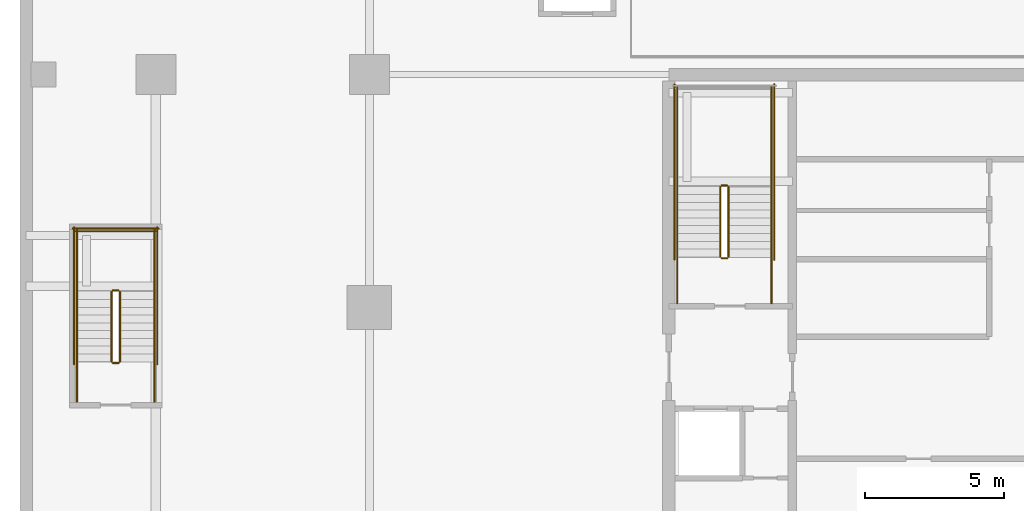
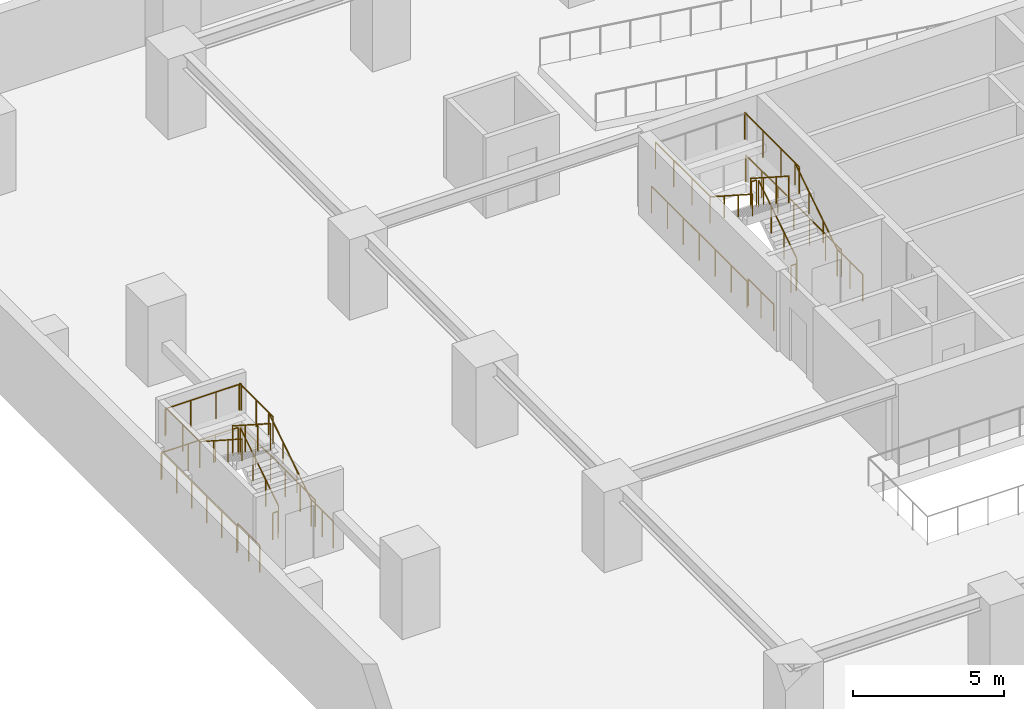
# One storey, part 7 of 10: 26 railings.
"""IFC4 building model written with IfcOpenShell, lengths in metres."""

from ifc_helpers import new_model, si_unit, direction, frame, origin, origin_2d, place, context, subcontext, project, spatial, circle, extrude, material, type_object, element, save


model = new_model("IFC4")

# Units and contexts
model_context = context("Model", 3, precision=1e-05, world=origin(), true_north=direction((0.0, 1.0)))
body_context = subcontext(model_context, "Body", "Model", "MODEL_VIEW")
ifc_project = project(units=[si_unit("LENGTHUNIT", "METRE"), si_unit("AREAUNIT", "SQUARE_METRE"), si_unit("VOLUMEUNIT", "CUBIC_METRE"), si_unit("PLANEANGLEUNIT", "RADIAN"), si_unit("MASSUNIT", "GRAM", prefix="KILO")], contexts=[model_context])

# Site, building, storey
site_placement = place(None, origin())
site = spatial("IfcSite", under=ifc_project, at=site_placement, CompositionType="ELEMENT")
building_placement = place(site_placement, origin())
building = spatial("IfcBuilding", under=site, at=building_placement, Name="Serunith Strait Residences", CompositionType="ELEMENT")
storey_placement = place(building_placement, frame((0.0, 0.0, -7.199951171875)))
storey = spatial("IfcBuildingStorey", under=building, at=storey_placement, Name="B02", CompositionType="ELEMENT", Elevation=-7.199951171875)

# Railings
ifc_material = material(Name="Brushed stainless steel 316L", Category="steel")
railing_type_1 = type_object("IfcRailingType", Name="RLG-STAIR-GUARD", PredefinedType="BALUSTRADE", material=ifc_material)
railing_1_placement = place(storey_placement, frame((25.550048828125, 27.030029296875, 0.179931640625)))
element("IfcRailing", 1, at=railing_1_placement, inside=storey, type_object=railing_type_1, Name="B02 ST-1 stair guard 1", PredefinedType="BALUSTRADE", context=body_context, shape_type="SweptSolid", body=[
    extrude(circle(Radius=0.02392578125, at=origin_2d()), frame((0.0, 0.001708984375, 1.0771484375), z_axis=(0.0, 0.841162588446, 0.540782303519), x_axis=(-1.0, 0.0, 0.0)), (0.0, 0.0, 1.0), 2.991943359375),
    extrude(circle(Radius=0.02099609375, at=origin_2d()), origin(), (0.0, 0.0, 1.0), 1.050048828125),
    extrude(circle(Radius=0.02099609375, at=origin_2d()), frame((0.0, 0.840087890625, 0.5400390625)), (0.0, 0.0, 1.0), 1.050048828125),
    extrude(circle(Radius=0.02099609375, at=origin_2d()), frame((0.0, 1.679931640625, 1.080078125)), (0.0, 0.0, 1.0), 1.050048828125),
    extrude(circle(Radius=0.02099609375, at=origin_2d()), frame((0.0, 2.52001953125, 1.6201171875)), (0.0, 0.0, 1.0), 1.050048828125),
])
railing_2_placement = place(storey_placement, frame((25.5, 29.60009765625, 1.800048828125)))
element("IfcRailing", 2, at=railing_2_placement, inside=storey, type_object=railing_type_1, Name="B02 ST-1 stair guard 2", PredefinedType="BALUSTRADE", context=body_context, shape_type="SweptSolid", body=[
    extrude(circle(Radius=0.02392578125, at=origin_2d()), frame((-0.001953125, 0.0, 1.076171875), z_axis=(-1.0, 0.0, 0.0), x_axis=(0.0, -1.0, 0.0)), (0.0, 0.0, 1.0), 0.196044921875),
    extrude(circle(Radius=0.02099609375, at=origin_2d()), origin(), (0.0, 0.0, 1.0), 1.050048828125),
    extrude(circle(Radius=0.02099609375, at=origin_2d()), frame((-0.199951171875, 0.0, 0.0)), (0.0, 0.0, 1.0), 1.050048828125),
])
for number, where, name in (
    (3, (27.10009765625, 29.550048828125, 1.800048828125), "B02 ST-1 stair guard 3"),
    (4, (23.699951171875, 29.550048828125, 1.800048828125), "B02 ST-1 stair guard 4"),
):
    element("IfcRailing", number, at=place(storey_placement, frame(where)), inside=storey, type_object=railing_type_1, Name=name, PredefinedType="BALUSTRADE", context=body_context, shape_type="SweptSolid", body=[
        extrude(circle(Radius=0.02392578125, at=origin_2d()), frame((0.0, 0.001953125, 1.076171875), z_axis=(0.0, 1.0, 0.0), x_axis=(-1.0, 0.0, 0.0)), (0.0, 0.0, 1.0), 3.595947265625),
        extrude(circle(Radius=0.02099609375, at=origin_2d()), origin(), (0.0, 0.0, 1.0), 1.050048828125),
        extrude(circle(Radius=0.02099609375, at=origin_2d()), frame((0.0, 1.199951171875, 0.0)), (0.0, 0.0, 1.0), 1.050048828125),
        extrude(circle(Radius=0.02099609375, at=origin_2d()), frame((0.0, 2.39990234375, 0.0)), (0.0, 0.0, 1.0), 1.050048828125),
        extrude(circle(Radius=0.02099609375, at=origin_2d()), frame((0.0, 3.599853515625, 0.0)), (0.0, 0.0, 1.0), 1.050048828125),
    ])
railing_3_placement = place(storey_placement, frame((25.25, 29.550048828125, 1.97998046875)))
element("IfcRailing", 5, at=railing_3_placement, inside=storey, type_object=railing_type_1, Name="B02 ST-1 stair guard 6", PredefinedType="BALUSTRADE", context=body_context, shape_type="SweptSolid", body=[
    extrude(circle(Radius=0.02392578125, at=origin_2d()), frame((0.0, -0.001708984375, 1.0771484375), z_axis=(0.0, -0.841199657755, 0.540724639528), x_axis=(1.0, 0.0, 0.0)), (0.0, 0.0, 1.0), 2.99169921875),
    extrude(circle(Radius=0.02099609375, at=origin_2d()), origin(), (0.0, 0.0, 1.0), 1.050048828125),
    extrude(circle(Radius=0.02099609375, at=origin_2d()), frame((0.0, -0.840087890625, 0.5400390625)), (0.0, 0.0, 1.0), 1.050048828125),
    extrude(circle(Radius=0.02099609375, at=origin_2d()), frame((0.0, -1.679931640625, 1.079833984375)), (0.0, 0.0, 1.0), 1.050048828125),
    extrude(circle(Radius=0.02099609375, at=origin_2d()), frame((0.0, -2.52001953125, 1.619873046875)), (0.0, 0.0, 1.0), 1.050048828125),
])
railing_4_placement = place(storey_placement, frame((25.5, 26.97998046875, 0.0)))
element("IfcRailing", 6, at=railing_4_placement, inside=storey, type_object=railing_type_1, Name="B02 ST-1 stair guard 7", PredefinedType="BALUSTRADE", context=body_context, shape_type="SweptSolid", body=[
    extrude(circle(Radius=0.02392578125, at=origin_2d()), frame((-0.001953125, 0.0, 1.076171875), z_axis=(-1.0, 0.0, 0.0), x_axis=(0.0, -1.0, 0.0)), (0.0, 0.0, 1.0), 0.196044921875),
    extrude(circle(Radius=0.02099609375, at=origin_2d()), origin(), (0.0, 0.0, 1.0), 1.050048828125),
    extrude(circle(Radius=0.02099609375, at=origin_2d()), frame((-0.199951171875, 0.0, 0.0)), (0.0, 0.0, 1.0), 1.050048828125),
])
for number, where, name in (
    (7, (27.10009765625, 25.35009765625, 0.0), "B02 ST-1 stair guard 8"),
    (8, (23.699951171875, 25.35009765625, 0.0), "B02 ST-1 stair guard 9"),
):
    element("IfcRailing", number, at=place(storey_placement, frame(where)), inside=storey, type_object=railing_type_1, Name=name, PredefinedType="BALUSTRADE", context=body_context, shape_type="SweptSolid", body=[
        extrude(circle(Radius=0.02392578125, at=origin_2d()), frame((0.0, 0.001953125, 1.076171875), z_axis=(0.0, 1.0, 0.0), x_axis=(-1.0, 0.0, 0.0)), (0.0, 0.0, 1.0), 1.676025390625),
        extrude(circle(Radius=0.02099609375, at=origin_2d()), origin(), (0.0, 0.0, 1.0), 1.050048828125),
        extrude(circle(Radius=0.02099609375, at=origin_2d()), frame((0.0, 0.83984375, 0.0)), (0.0, 0.0, 1.0), 1.050048828125),
        extrude(circle(Radius=0.02099609375, at=origin_2d()), frame((0.0, 1.679931640625, 0.0)), (0.0, 0.0, 1.0), 1.050048828125),
    ])
for number, where, name in (
    (9, (27.199951171875, 26.929931640625, 0.0), "B02 ST-1 stair guard 10"),
    (10, (23.60009765625, 26.929931640625, 0.0), "B02 ST-1 stair guard 11"),
):
    element("IfcRailing", number, at=place(storey_placement, frame(where)), inside=storey, type_object=railing_type_1, Name=name, PredefinedType="BALUSTRADE", context=body_context, shape_type="SweptSolid", body=[
        extrude(circle(Radius=0.02392578125, at=origin_2d()), frame((0.0, 0.001953125, 1.076171875), z_axis=(0.0, 1.0, 0.0), x_axis=(-1.0, 0.0, 0.0)), (0.0, 0.0, 1.0), 6.316162109375),
        extrude(circle(Radius=0.02099609375, at=origin_2d()), origin(), (0.0, 0.0, 1.0), 1.050048828125),
        extrude(circle(Radius=0.02099609375, at=origin_2d()), frame((0.0, 1.05322265625, 0.0)), (0.0, 0.0, 1.0), 1.050048828125),
        extrude(circle(Radius=0.02099609375, at=origin_2d()), frame((0.0, 2.106689453125, 0.0)), (0.0, 0.0, 1.0), 1.050048828125),
        extrude(circle(Radius=0.02099609375, at=origin_2d()), frame((0.0, 3.16015625, 0.0)), (0.0, 0.0, 1.0), 1.050048828125),
        extrude(circle(Radius=0.02099609375, at=origin_2d()), frame((0.0, 4.21337890625, 0.0)), (0.0, 0.0, 1.0), 1.050048828125),
        extrude(circle(Radius=0.02099609375, at=origin_2d()), frame((0.0, 5.2666015625, 0.0)), (0.0, 0.0, 1.0), 1.050048828125),
        extrude(circle(Radius=0.02099609375, at=origin_2d()), frame((0.0, 6.320068359375, 0.0)), (0.0, 0.0, 1.0), 1.050048828125),
    ])
railing_5_placement = place(storey_placement, frame((3.60009765625, 23.25, 0.179931640625)))
element("IfcRailing", 11, at=railing_5_placement, inside=storey, type_object=railing_type_1, Name="B02 ST-5 stair guard 1", PredefinedType="BALUSTRADE", context=body_context, shape_type="SweptSolid", body=[
    extrude(circle(Radius=0.02392578125, at=origin_2d()), frame((0.0, 0.001708984375, 1.0771484375), z_axis=(0.0, 0.841162588446, 0.540782303519), x_axis=(-1.0, 0.0, 0.0)), (0.0, 0.0, 1.0), 2.991943359375),
    extrude(circle(Radius=0.02099609375, at=origin_2d()), origin(), (0.0, 0.0, 1.0), 1.050048828125),
    extrude(circle(Radius=0.02099609375, at=origin_2d()), frame((0.0, 0.840087890625, 0.5400390625)), (0.0, 0.0, 1.0), 1.050048828125),
    extrude(circle(Radius=0.02099609375, at=origin_2d()), frame((0.0, 1.679931640625, 1.080078125)), (0.0, 0.0, 1.0), 1.050048828125),
    extrude(circle(Radius=0.02099609375, at=origin_2d()), frame((0.0, 2.52001953125, 1.6201171875)), (0.0, 0.0, 1.0), 1.050048828125),
])
railing_6_placement = place(storey_placement, frame((3.550048828125, 25.820068359375, 1.800048828125)))
element("IfcRailing", 12, at=railing_6_placement, inside=storey, type_object=railing_type_1, Name="B02 ST-5 stair guard 2", PredefinedType="BALUSTRADE", context=body_context, shape_type="SweptSolid", body=[
    extrude(circle(Radius=0.02392578125, at=origin_2d()), frame((-0.001953125, 0.0, 1.076171875), z_axis=(-1.0, 0.0, 0.0), x_axis=(0.0, -1.0, 0.0)), (0.0, 0.0, 1.0), 0.196044921875),
    extrude(circle(Radius=0.02099609375, at=origin_2d()), origin(), (0.0, 0.0, 1.0), 1.050048828125),
    extrude(circle(Radius=0.02099609375, at=origin_2d()), frame((-0.199951171875, 0.0, 0.0)), (0.0, 0.0, 1.0), 1.050048828125),
])
for number, where, name in (
    (13, (4.85009765625, 25.77001953125, 1.800048828125), "B02 ST-5 stair guard 3"),
    (14, (2.050048828125, 25.77001953125, 1.800048828125), "B02 ST-5 stair guard 4"),
):
    element("IfcRailing", number, at=place(storey_placement, frame(where)), inside=storey, type_object=railing_type_1, Name=name, PredefinedType="BALUSTRADE", context=body_context, shape_type="SweptSolid", body=[
        extrude(circle(Radius=0.02392578125, at=origin_2d()), frame((0.0, 0.001953125, 1.076171875), z_axis=(0.0, 1.0, 0.0), x_axis=(-1.0, 0.0, 0.0)), (0.0, 0.0, 1.0), 2.22607421875),
        extrude(circle(Radius=0.02099609375, at=origin_2d()), origin(), (0.0, 0.0, 1.0), 1.050048828125),
        extrude(circle(Radius=0.02099609375, at=origin_2d()), frame((0.0, 1.114990234375, 0.0)), (0.0, 0.0, 1.0), 1.050048828125),
        extrude(circle(Radius=0.02099609375, at=origin_2d()), frame((0.0, 2.22998046875, 0.0)), (0.0, 0.0, 1.0), 1.050048828125),
    ])
railing_7_placement = place(storey_placement, frame((4.89990234375, 27.949951171875, 1.800048828125)))
element("IfcRailing", 15, at=railing_7_placement, inside=storey, type_object=railing_type_1, Name="B02 ST-5 stair guard 5", PredefinedType="BALUSTRADE", context=body_context, shape_type="SweptSolid", body=[
    extrude(circle(Radius=0.02392578125, at=origin_2d()), frame((-0.001953125, 0.0, 1.076171875), z_axis=(-1.0, 0.0, 0.0), x_axis=(0.0, -1.0, 0.0)), (0.0, 0.0, 1.0), 2.89599609375),
    extrude(circle(Radius=0.02099609375, at=origin_2d()), origin(), (0.0, 0.0, 1.0), 1.050048828125),
    extrude(circle(Radius=0.02099609375, at=origin_2d()), frame((-0.966552734375, 0.0, 0.0)), (0.0, 0.0, 1.0), 1.050048828125),
    extrude(circle(Radius=0.02099609375, at=origin_2d()), frame((-1.933349609375, 0.0, 0.0)), (0.0, 0.0, 1.0), 1.050048828125),
    extrude(circle(Radius=0.02099609375, at=origin_2d()), frame((-2.89990234375, 0.0, 0.0)), (0.0, 0.0, 1.0), 1.050048828125),
])
railing_8_placement = place(storey_placement, frame((3.300048828125, 25.77001953125, 1.97998046875)))
element("IfcRailing", 16, at=railing_8_placement, inside=storey, type_object=railing_type_1, Name="B02 ST-5 stair guard 6", PredefinedType="BALUSTRADE", context=body_context, shape_type="SweptSolid", body=[
    extrude(circle(Radius=0.02392578125, at=origin_2d()), frame((0.0, -0.001708984375, 1.0771484375), z_axis=(0.0, -0.841199657755, 0.540724639528), x_axis=(1.0, 0.0, 0.0)), (0.0, 0.0, 1.0), 2.99169921875),
    extrude(circle(Radius=0.02099609375, at=origin_2d()), origin(), (0.0, 0.0, 1.0), 1.050048828125),
    extrude(circle(Radius=0.02099609375, at=origin_2d()), frame((0.0, -0.840087890625, 0.5400390625)), (0.0, 0.0, 1.0), 1.050048828125),
    extrude(circle(Radius=0.02099609375, at=origin_2d()), frame((0.0, -1.679931640625, 1.079833984375)), (0.0, 0.0, 1.0), 1.050048828125),
    extrude(circle(Radius=0.02099609375, at=origin_2d()), frame((0.0, -2.52001953125, 1.619873046875)), (0.0, 0.0, 1.0), 1.050048828125),
])
railing_9_placement = place(storey_placement, frame((3.550048828125, 23.199951171875, 0.0)))
element("IfcRailing", 17, at=railing_9_placement, inside=storey, type_object=railing_type_1, Name="B02 ST-5 stair guard 7", PredefinedType="BALUSTRADE", context=body_context, shape_type="SweptSolid", body=[
    extrude(circle(Radius=0.02392578125, at=origin_2d()), frame((-0.001953125, 0.0, 1.076171875), z_axis=(-1.0, 0.0, 0.0), x_axis=(0.0, -1.0, 0.0)), (0.0, 0.0, 1.0), 0.196044921875),
    extrude(circle(Radius=0.02099609375, at=origin_2d()), origin(), (0.0, 0.0, 1.0), 1.050048828125),
    extrude(circle(Radius=0.02099609375, at=origin_2d()), frame((-0.199951171875, 0.0, 0.0)), (0.0, 0.0, 1.0), 1.050048828125),
])
for number, where, name in (
    (18, (4.85009765625, 21.800048828125, 0.0), "B02 ST-5 stair guard 8"),
    (19, (2.050048828125, 21.800048828125, 0.0), "B02 ST-5 stair guard 9"),
):
    element("IfcRailing", number, at=place(storey_placement, frame(where)), inside=storey, type_object=railing_type_1, Name=name, PredefinedType="BALUSTRADE", context=body_context, shape_type="SweptSolid", body=[
        extrude(circle(Radius=0.02392578125, at=origin_2d()), frame((0.0, 0.001953125, 1.076171875), z_axis=(0.0, 1.0, 0.0), x_axis=(-1.0, 0.0, 0.0)), (0.0, 0.0, 1.0), 1.446044921875),
        extrude(circle(Radius=0.02099609375, at=origin_2d()), origin(), (0.0, 0.0, 1.0), 1.050048828125),
        extrude(circle(Radius=0.02099609375, at=origin_2d()), frame((0.0, 0.72509765625, 0.0)), (0.0, 0.0, 1.0), 1.050048828125),
        extrude(circle(Radius=0.02099609375, at=origin_2d()), frame((0.0, 1.449951171875, 0.0)), (0.0, 0.0, 1.0), 1.050048828125),
    ])
for number, where, name in (
    (20, (4.949951171875, 23.14990234375, 0.0), "B02 ST-5 stair guard 10"),
    (21, (1.949951171875, 23.14990234375, 0.0), "B02 ST-5 stair guard 11"),
):
    element("IfcRailing", number, at=place(storey_placement, frame(where)), inside=storey, type_object=railing_type_1, Name=name, PredefinedType="BALUSTRADE", context=body_context, shape_type="SweptSolid", body=[
        extrude(circle(Radius=0.02392578125, at=origin_2d()), frame((0.0, 0.001953125, 1.076171875), z_axis=(0.0, 1.0, 0.0), x_axis=(-1.0, 0.0, 0.0)), (0.0, 0.0, 1.0), 4.9462890625),
        extrude(circle(Radius=0.02099609375, at=origin_2d()), origin(), (0.0, 0.0, 1.0), 1.050048828125),
        extrude(circle(Radius=0.02099609375, at=origin_2d()), frame((0.0, 0.989990234375, 0.0)), (0.0, 0.0, 1.0), 1.050048828125),
        extrude(circle(Radius=0.02099609375, at=origin_2d()), frame((0.0, 1.97998046875, 0.0)), (0.0, 0.0, 1.0), 1.050048828125),
        extrude(circle(Radius=0.02099609375, at=origin_2d()), frame((0.0, 2.97021484375, 0.0)), (0.0, 0.0, 1.0), 1.050048828125),
        extrude(circle(Radius=0.02099609375, at=origin_2d()), frame((0.0, 3.960205078125, 0.0)), (0.0, 0.0, 1.0), 1.050048828125),
        extrude(circle(Radius=0.02099609375, at=origin_2d()), frame((0.0, 4.9501953125, 0.0)), (0.0, 0.0, 1.0), 1.050048828125),
    ])
railing_10_placement = place(storey_placement, frame((5.0, 28.050048828125, 0.0)))
element("IfcRailing", 22, at=railing_10_placement, inside=storey, type_object=railing_type_1, Name="B02 ST-5 stair guard 12", PredefinedType="BALUSTRADE", context=body_context, shape_type="SweptSolid", body=[
    extrude(circle(Radius=0.02392578125, at=origin_2d()), frame((-0.001953125, 0.0, 1.076171875), z_axis=(-1.0, 0.0, 0.0), x_axis=(0.0, -1.0, 0.0)), (0.0, 0.0, 1.0), 3.09619140625),
    extrude(circle(Radius=0.02099609375, at=origin_2d()), origin(), (0.0, 0.0, 1.0), 1.050048828125),
    extrude(circle(Radius=0.02099609375, at=origin_2d()), frame((-1.033447265625, 0.0, 0.0)), (0.0, 0.0, 1.0), 1.050048828125),
    extrude(circle(Radius=0.02099609375, at=origin_2d()), frame((-2.066650390625, 0.0, 0.0)), (0.0, 0.0, 1.0), 1.050048828125),
    extrude(circle(Radius=0.02099609375, at=origin_2d()), frame((-3.10009765625, 0.0, 0.0)), (0.0, 0.0, 1.0), 1.050048828125),
])
railing_type_2 = type_object("IfcRailingType", Name="RLG-STAIR-HR", PredefinedType="HANDRAIL", material=ifc_material)
railing_11_placement = place(storey_placement, frame((27.10009765625, 27.030029296875, 0.179931640625)))
element("IfcRailing", 23, at=railing_11_placement, inside=storey, type_object=railing_type_2, Name="B02 ST-1 stair handrail 1", PredefinedType="HANDRAIL", context=body_context, shape_type="SweptSolid", body=[
    extrude(circle(Radius=0.02392578125, at=origin_2d()), frame((0.0, 0.001708984375, 0.876953125), z_axis=(0.0, 0.840508739616, 0.541797986919), x_axis=(-1.0, 0.0, 0.0)), (0.0, 0.0, 1.0), 3.327392578125),
    extrude(circle(Radius=0.02099609375, at=origin_2d()), origin(), (0.0, 0.0, 1.0), 0.849853515625),
    extrude(circle(Radius=0.02099609375, at=origin_2d()), frame((0.0, 0.933349609375, 0.6015625)), (0.0, 0.0, 1.0), 0.849853515625),
    extrude(circle(Radius=0.02099609375, at=origin_2d()), frame((0.0, 1.86669921875, 1.203369140625)), (0.0, 0.0, 1.0), 0.849853515625),
    extrude(circle(Radius=0.02099609375, at=origin_2d()), frame((0.0, 2.800048828125, 1.804931640625)), (0.0, 0.0, 1.0), 0.849853515625),
])
railing_12_placement = place(storey_placement, frame((23.699951171875, 29.550048828125, 1.97998046875)))
element("IfcRailing", 24, at=railing_12_placement, inside=storey, type_object=railing_type_2, Name="B02 ST-1 stair handrail 2", PredefinedType="HANDRAIL", context=body_context, shape_type="SweptSolid", body=[
    extrude(circle(Radius=0.02392578125, at=origin_2d()), frame((0.0, -0.001708984375, 0.876953125), z_axis=(0.0, -0.840508739616, 0.541797986919), x_axis=(1.0, 0.0, 0.0)), (0.0, 0.0, 1.0), 3.327392578125),
    extrude(circle(Radius=0.02099609375, at=origin_2d()), origin(), (0.0, 0.0, 1.0), 0.849853515625),
    extrude(circle(Radius=0.02099609375, at=origin_2d()), frame((0.0, -0.933349609375, 0.6015625)), (0.0, 0.0, 1.0), 0.849853515625),
    extrude(circle(Radius=0.02099609375, at=origin_2d()), frame((0.0, -1.86669921875, 1.203369140625)), (0.0, 0.0, 1.0), 0.849853515625),
    extrude(circle(Radius=0.02099609375, at=origin_2d()), frame((0.0, -2.800048828125, 1.804931640625)), (0.0, 0.0, 1.0), 0.849853515625),
])
railing_13_placement = place(storey_placement, frame((4.85009765625, 23.25, 0.179931640625)))
element("IfcRailing", 25, at=railing_13_placement, inside=storey, type_object=railing_type_2, Name="B02 ST-5 stair handrail 1", PredefinedType="HANDRAIL", context=body_context, shape_type="SweptSolid", body=[
    extrude(circle(Radius=0.02392578125, at=origin_2d()), frame((0.0, 0.001708984375, 0.876953125), z_axis=(0.0, 0.840508739616, 0.541797986919), x_axis=(-1.0, 0.0, 0.0)), (0.0, 0.0, 1.0), 3.327392578125),
    extrude(circle(Radius=0.02099609375, at=origin_2d()), origin(), (0.0, 0.0, 1.0), 0.849853515625),
    extrude(circle(Radius=0.02099609375, at=origin_2d()), frame((0.0, 0.933349609375, 0.6015625)), (0.0, 0.0, 1.0), 0.849853515625),
    extrude(circle(Radius=0.02099609375, at=origin_2d()), frame((0.0, 1.86669921875, 1.203369140625)), (0.0, 0.0, 1.0), 0.849853515625),
    extrude(circle(Radius=0.02099609375, at=origin_2d()), frame((0.0, 2.800048828125, 1.804931640625)), (0.0, 0.0, 1.0), 0.849853515625),
])
railing_14_placement = place(storey_placement, frame((2.050048828125, 25.77001953125, 1.97998046875)))
element("IfcRailing", 26, at=railing_14_placement, inside=storey, type_object=railing_type_2, Name="B02 ST-5 stair handrail 2", PredefinedType="HANDRAIL", context=body_context, shape_type="SweptSolid", body=[
    extrude(circle(Radius=0.02392578125, at=origin_2d()), frame((0.0, -0.001708984375, 0.876953125), z_axis=(0.0, -0.840508739616, 0.541797986919), x_axis=(1.0, 0.0, 0.0)), (0.0, 0.0, 1.0), 3.327392578125),
    extrude(circle(Radius=0.02099609375, at=origin_2d()), origin(), (0.0, 0.0, 1.0), 0.849853515625),
    extrude(circle(Radius=0.02099609375, at=origin_2d()), frame((0.0, -0.933349609375, 0.6015625)), (0.0, 0.0, 1.0), 0.849853515625),
    extrude(circle(Radius=0.02099609375, at=origin_2d()), frame((0.0, -1.86669921875, 1.203369140625)), (0.0, 0.0, 1.0), 0.849853515625),
    extrude(circle(Radius=0.02099609375, at=origin_2d()), frame((0.0, -2.800048828125, 1.804931640625)), (0.0, 0.0, 1.0), 0.849853515625),
])

save(model, "model.ifc")
